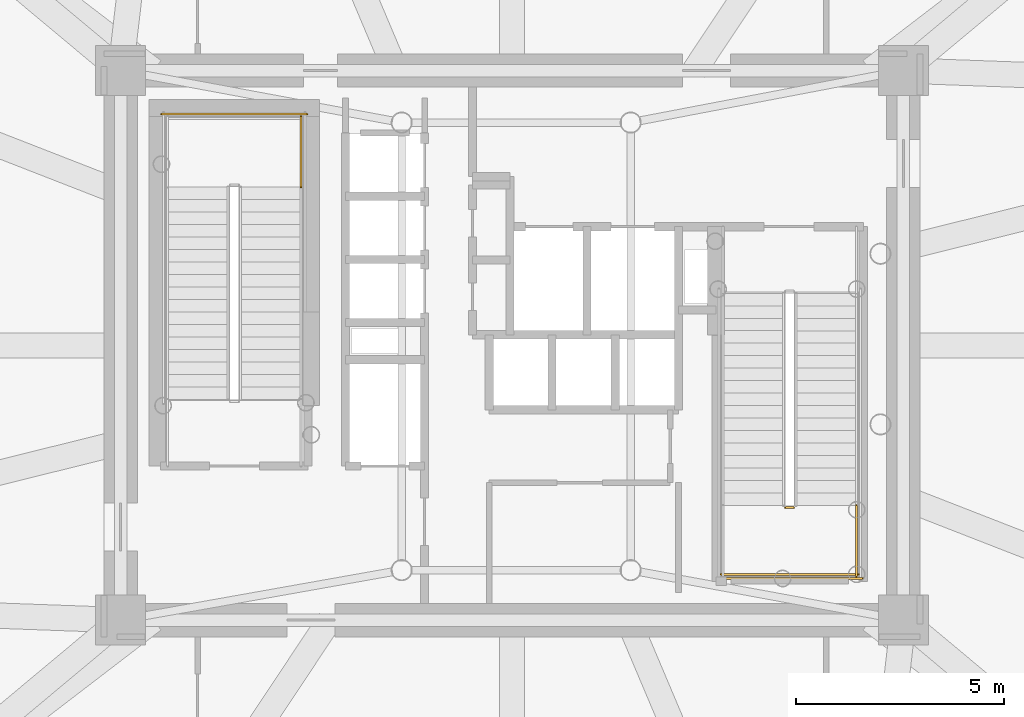
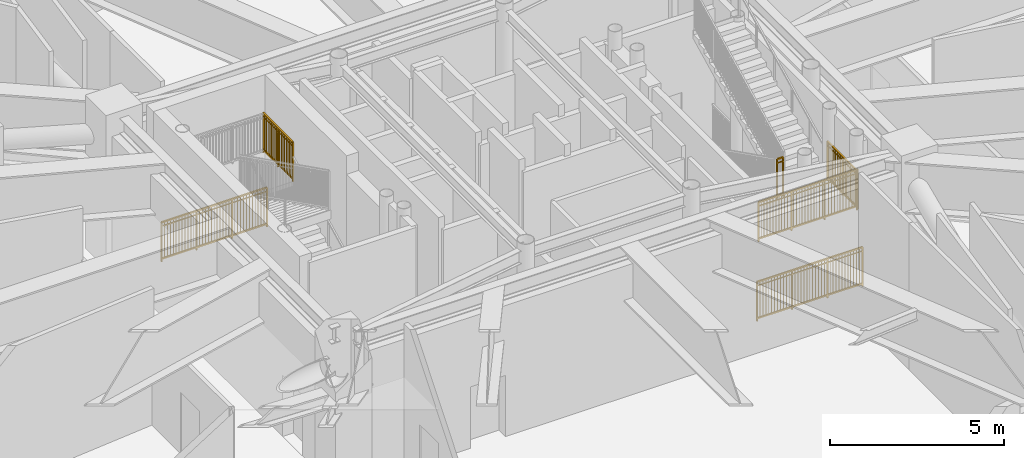
# One storey, part 18 of 20: 6 railings.
"""IFC4 building model written with IfcOpenShell, lengths in metres."""

import ifcopenshell
import ifcopenshell.guid

model = None  # the IFC model being written
_history = None  # IfcOwnerHistory: only IFC2X3 demands one
_inside = {}  # id of a spatial element -> (the spatial element, [elements in it])
_under = {}  # id of a project, library or spatial element -> (it, [spatial elements below it])
_declared = {}  # id of a project -> (the project, [libraries it declares])
_typed = {}  # id of a type object -> (the type object, [elements of that type])
_made_of = {}  # id of a material, layer set ... -> (it, [elements and type objects made of it])


def new_model(schema):
    """Start an empty IFC model of exactly this schema.

    Asked for "IFC4X3", IfcOpenShell would pick the latest addendum, in which some entities
    have other attributes; the version numbers below select the first issue.
    IFC2X3 requires an IfcOwnerHistory on every rooted entity: one is made here for all.
    """
    global model, _history
    if schema == "IFC4X3":
        model = ifcopenshell.file(schema_version=(4, 3, 0, 0))
    else:
        model = ifcopenshell.file(schema=schema)
    _inside.clear()
    _under.clear()
    _declared.clear()
    _typed.clear()
    _made_of.clear()
    _history = None
    if model.schema == "IFC2X3":
        org = make("IfcOrganization", Name="unknown")
        user = make(
            "IfcPersonAndOrganization",
            ThePerson=make("IfcPerson", FamilyName="unknown"),
            TheOrganization=org,
        )
        app = make(
            "IfcApplication",
            ApplicationDeveloper=org,
            Version="unknown",
            ApplicationFullName="unknown",
            ApplicationIdentifier="unknown",
        )
        _history = make(
            "IfcOwnerHistory",
            OwningUser=user,
            OwningApplication=app,
            ChangeAction="ADDED",
            CreationDate=0,
        )
    return model


def make(cls, **values):
    """One entity of the class cls with the attributes given. An attribute that is None is left unset."""
    return model.create_entity(
        cls, **{name: value for name, value in values.items() if value is not None}
    )


def rooted(cls, **values):
    """An entity with a GlobalId (a new one), such as an element, a storey or a relation."""
    return make(cls, GlobalId=ifcopenshell.guid.new(), OwnerHistory=_history, **values)


def si_unit(unit_type, name, prefix=None):
    """IfcSIUnit, for example si_unit("LENGTHUNIT", "METRE", prefix="MILLI")."""
    return make("IfcSIUnit", UnitType=unit_type, Prefix=prefix, Name=name)


def assignment(units):
    """IfcUnitAssignment: the units of a project."""
    return None if units is None else make("IfcUnitAssignment", Units=units)


def point(xyz):
    """IfcCartesianPoint."""
    return None if xyz is None else make("IfcCartesianPoint", Coordinates=xyz)


def direction(xyz):
    """IfcDirection."""
    return None if xyz is None else make("IfcDirection", DirectionRatios=xyz)


def frame(location, z_axis=None, x_axis=None):
    """IfcAxis2Placement3D, a coordinate frame: its origin and axes. An axis left out is left unset."""
    return make(
        "IfcAxis2Placement3D",
        Location=point(location),
        Axis=direction(z_axis),
        RefDirection=direction(x_axis),
    )


def frame_2d(location, x_axis=None):
    """IfcAxis2Placement2D, a coordinate frame in the plane: its origin and x axis."""
    return make(
        "IfcAxis2Placement2D", Location=point(location), RefDirection=direction(x_axis)
    )


def origin():
    """The frame at (0, 0, 0) with its axes left unset."""
    return frame((0.0, 0.0, 0.0))


def origin_2d():
    """The frame at (0, 0) in the plane with its x axis left unset."""
    return frame_2d((0.0, 0.0))


def place(relative_to, where):
    """IfcLocalPlacement: puts the frame where relative to a parent placement (None: the world)."""
    return make(
        "IfcLocalPlacement", PlacementRelTo=relative_to, RelativePlacement=where
    )


def context(
    kind, dimensions, precision=None, world=None, true_north=None, identifier=None
):
    """IfcGeometricRepresentationContext, for example the 3D "Model" context."""
    return make(
        "IfcGeometricRepresentationContext",
        ContextIdentifier=identifier,
        ContextType=kind,
        CoordinateSpaceDimension=dimensions,
        Precision=precision,
        WorldCoordinateSystem=world,
        TrueNorth=true_north,
    )


def subcontext(parent, identifier, kind, view, scale=None):
    """IfcGeometricRepresentationSubContext, for example "Body" below "Model"."""
    return make(
        "IfcGeometricRepresentationSubContext",
        ContextIdentifier=identifier,
        ContextType=kind,
        ParentContext=parent,
        TargetScale=scale,
        TargetView=view,
    )


def project(units=None, contexts=None):
    """IfcProject with its units and contexts."""
    return rooted(
        "IfcProject",
        Name="project",
        RepresentationContexts=contexts,
        UnitsInContext=assignment(units),
    )


def spatial(cls, under=None, at=None, **own):
    """A site, building, storey or space (cls), placed at a placement, below another one or the project."""
    s = rooted(cls, ObjectPlacement=at, **own)
    if under is not None:
        _under.setdefault(under.id(), (under, []))[1].append(s)
    return s


def profile(cls, at=None, kind="AREA", **sizes):
    """A parametric profile (cls). Its sizes go by their IFC names, for example OverallWidth=200.0."""
    return make(cls, ProfileType=kind, Position=at, **sizes)


def rectangle(**sizes):
    """IfcRectangleProfileDef."""
    return profile("IfcRectangleProfileDef", **sizes)


def extrude(swept, where, along, depth):
    """IfcExtrudedAreaSolid: the profile swept, set in the frame where, extruded along a direction by depth."""
    return make(
        "IfcExtrudedAreaSolid",
        SweptArea=swept,
        Position=where,
        ExtrudedDirection=direction(along),
        Depth=depth,
    )


def shape(context_of_items, identifier, shape_type, items):
    """IfcShapeRepresentation: the items that make up one representation, for example the "Body"."""
    return make(
        "IfcShapeRepresentation",
        ContextOfItems=context_of_items,
        RepresentationIdentifier=identifier,
        RepresentationType=shape_type,
        Items=items,
    )


def source(mapping_origin, context_of_items, identifier, shape_type, items):
    """IfcRepresentationMap: a shape defined once, which mapped items show again and again."""
    return make(
        "IfcRepresentationMap",
        MappingOrigin=mapping_origin,
        MappedRepresentation=shape(context_of_items, identifier, shape_type, items),
    )


def transform(
    local_origin,
    x_axis=None,
    y_axis=None,
    z_axis=None,
    scale=None,
    scale2=None,
    scale3=None,
    uniform=True,
):
    """IfcCartesianTransformationOperator3D, or its non-uniform kind. x_axis, y_axis, z_axis: its Axis1, 2, 3."""
    if uniform:
        return make(
            "IfcCartesianTransformationOperator3D",
            Axis1=direction(x_axis),
            Axis2=direction(y_axis),
            LocalOrigin=point(local_origin),
            Scale=scale,
            Axis3=direction(z_axis),
        )
    return make(
        "IfcCartesianTransformationOperator3DnonUniform",
        Axis1=direction(x_axis),
        Axis2=direction(y_axis),
        LocalOrigin=point(local_origin),
        Scale=scale,
        Axis3=direction(z_axis),
        Scale2=scale2,
        Scale3=scale3,
    )


def mapped(mapping_source, mapping_target):
    """IfcMappedItem: shows the shape of a source again, moved by a transform."""
    return make(
        "IfcMappedItem", MappingSource=mapping_source, MappingTarget=mapping_target
    )


def material(Name=None, Category=None):
    """IfcMaterial."""
    return make("IfcMaterial", Name=Name, Category=Category)


def made_of(thing, what):
    """Note that an element or type object is made of a material, layer set ...; save() writes the relation."""
    if what is not None:
        _made_of.setdefault(what.id(), (what, []))[1].append(thing)
    return thing


def type_object(cls, material=None, **own):
    """A type object (cls), such as IfcWallType, which elements share."""
    return made_of(rooted(cls, **own), material)


def element(
    cls,
    number,
    at=None,
    inside=None,
    cuts=None,
    type_object=None,
    material=None,
    context=None,
    identifier="Body",
    shape_type=None,
    held_by="IfcProductDefinitionShape",
    body=None,
    shapes=None,
    **own,
):
    """One element of the class cls, such as IfcWall. Its Tag is "e" and its number.

    at: its placement. inside: the storey or other place that contains it. cuts: it is an
    opening in that element (IfcRelVoidsElement). A single representation is given by context,
    identifier, shape_type and body (its items); several are given by shapes. held_by: the class
    of the entity that holds the representations. save() writes the other relations.
    """
    e = rooted(cls, Tag="e%d" % number, ObjectPlacement=at, **own)
    if body is not None:
        shapes = [shape(context, identifier, shape_type, body)]
    if shapes is not None:
        e.Representation = make(held_by, Representations=shapes)
    if inside is not None:
        _inside.setdefault(inside.id(), (inside, []))[1].append(e)
    if cuts is not None:
        rooted(
            "IfcRelVoidsElement", RelatingBuildingElement=cuts, RelatedOpeningElement=e
        )
    if type_object is not None:
        _typed.setdefault(type_object.id(), (type_object, []))[1].append(e)
    return made_of(e, material)


def aggregate(whole, parts):
    """IfcRelAggregates: a whole, such as a stair, and the parts it consists of."""
    return rooted("IfcRelAggregates", RelatingObject=whole, RelatedObjects=parts)


def save(model, path):
    """Write the relations noted so far, then the file.

    IfcRelAggregates (storeys below a building ...), IfcRelContainedInSpatialStructure (elements
    in a storey), IfcRelDefinesByType, IfcRelAssociatesMaterial and IfcRelDeclares: one each for
    every whole, place, type object, material and project.
    """
    for whole, parts in _under.values():
        aggregate(whole, parts)
    for where, things in _inside.values():
        rooted(
            "IfcRelContainedInSpatialStructure",
            RelatedElements=things,
            RelatingStructure=where,
        )
    for kind, things in _typed.values():
        rooted("IfcRelDefinesByType", RelatedObjects=things, RelatingType=kind)
    for what, things in _made_of.values():
        rooted("IfcRelAssociatesMaterial", RelatedObjects=things, RelatingMaterial=what)
    for by, libraries in _declared.values():
        rooted("IfcRelDeclares", RelatingContext=by, RelatedDefinitions=libraries)
    model.write(path)


model = new_model("IFC4")

# Units and contexts
model_context = context("Model", 3, precision=1e-05, world=origin(), true_north=direction((0.0, 1.0)))
body_context = subcontext(model_context, "Body", "Model", "MODEL_VIEW")
ifc_project = project(units=[si_unit("LENGTHUNIT", "METRE"), si_unit("AREAUNIT", "SQUARE_METRE"), si_unit("VOLUMEUNIT", "CUBIC_METRE"), si_unit("PLANEANGLEUNIT", "RADIAN"), si_unit("MASSUNIT", "GRAM", prefix="KILO")], contexts=[model_context])

# Site, building, storey
site_placement = place(None, origin())
site = spatial("IfcSite", under=ifc_project, at=site_placement, CompositionType="ELEMENT")
building_placement = place(site_placement, origin())
building = spatial("IfcBuilding", under=site, at=building_placement, Name="Linh Dai School and Residence Tower", CompositionType="ELEMENT")
storey_placement = place(building_placement, frame((0.0, 0.0, 204.89990234375)))
storey = spatial("IfcBuildingStorey", under=building, at=storey_placement, Name="L50", CompositionType="ELEMENT", Elevation=204.89990234375)

# Railings
ifc_material = material(Name="Structural Steel S355JR", Category="steel")
railing_type = type_object("IfcRailingType", Name="RL-ST-GUARD-1400", PredefinedType="GUARDRAIL", material=ifc_material)
shared_shape_1 = source(origin(), body_context, "Body", "SweptSolid", [
    extrude(rectangle(XDim=0.048095703125, YDim=0.048095703125, at=origin_2d()), frame((0.0, 0.0, 1.3759765625), z_axis=(-1.0, 0.0, 0.0), x_axis=(0.0, -1.0, 0.0)), (0.0, 0.0, 1.0), 3.5),
    extrude(rectangle(XDim=0.048095703125, YDim=0.048095703125, at=origin_2d()), frame((0.0, 0.0, 0.10009765625), z_axis=(-1.0, 0.0, 0.0), x_axis=(0.0, -1.0, 0.0)), (0.0, 0.0, 1.0), 3.5),
    extrude(rectangle(XDim=0.030029296875, YDim=0.030029296875, at=origin_2d()), frame((0.0, 0.0, 1.239990234375), z_axis=(-1.0, 0.0, 0.0), x_axis=(0.0, -1.0, 0.0)), (0.0, 0.0, 1.0), 3.5),
    extrude(rectangle(XDim=0.02001953125, YDim=0.02001953125, at=origin_2d()), frame((-0.09716796875, 0.0, 0.10009765625)), (0.0, 0.0, 1.0), 1.251708984375),
    extrude(rectangle(XDim=0.02001953125, YDim=0.02001953125, at=origin_2d()), frame((-0.1943359375, 0.0, 0.10009765625)), (0.0, 0.0, 1.0), 1.251708984375),
    extrude(rectangle(XDim=0.02001953125, YDim=0.02001953125, at=origin_2d()), frame((-0.291748046875, 0.0, 0.10009765625)), (0.0, 0.0, 1.0), 1.251708984375),
    extrude(rectangle(XDim=0.02001953125, YDim=0.02001953125, at=origin_2d()), frame((-0.388916015625, 0.0, 0.10009765625)), (0.0, 0.0, 1.0), 1.251708984375),
    extrude(rectangle(XDim=0.02001953125, YDim=0.02001953125, at=origin_2d()), frame((-0.486083984375, 0.0, 0.10009765625)), (0.0, 0.0, 1.0), 1.251708984375),
    extrude(rectangle(XDim=0.02001953125, YDim=0.02001953125, at=origin_2d()), frame((-0.583251953125, 0.0, 0.10009765625)), (0.0, 0.0, 1.0), 1.251708984375),
    extrude(rectangle(XDim=0.02001953125, YDim=0.02001953125, at=origin_2d()), frame((-0.6806640625, 0.0, 0.10009765625)), (0.0, 0.0, 1.0), 1.251708984375),
    extrude(rectangle(XDim=0.02001953125, YDim=0.02001953125, at=origin_2d()), frame((-0.77783203125, 0.0, 0.10009765625)), (0.0, 0.0, 1.0), 1.251708984375),
    extrude(rectangle(XDim=0.02001953125, YDim=0.02001953125, at=origin_2d()), frame((-0.875, 0.0, 0.10009765625)), (0.0, 0.0, 1.0), 1.251708984375),
    extrude(rectangle(XDim=0.02001953125, YDim=0.02001953125, at=origin_2d()), frame((-0.97216796875, 0.0, 0.10009765625)), (0.0, 0.0, 1.0), 1.251708984375),
    extrude(rectangle(XDim=0.02001953125, YDim=0.02001953125, at=origin_2d()), frame((-1.0693359375, 0.0, 0.10009765625)), (0.0, 0.0, 1.0), 1.251708984375),
    extrude(rectangle(XDim=0.02001953125, YDim=0.02001953125, at=origin_2d()), frame((-1.263916015625, 0.0, 0.10009765625)), (0.0, 0.0, 1.0), 1.251708984375),
    extrude(rectangle(XDim=0.02001953125, YDim=0.02001953125, at=origin_2d()), frame((-1.361083984375, 0.0, 0.10009765625)), (0.0, 0.0, 1.0), 1.251708984375),
    extrude(rectangle(XDim=0.02001953125, YDim=0.02001953125, at=origin_2d()), frame((-1.458251953125, 0.0, 0.10009765625)), (0.0, 0.0, 1.0), 1.251708984375),
    extrude(rectangle(XDim=0.02001953125, YDim=0.02001953125, at=origin_2d()), frame((-1.5556640625, 0.0, 0.10009765625)), (0.0, 0.0, 1.0), 1.251708984375),
    extrude(rectangle(XDim=0.02001953125, YDim=0.02001953125, at=origin_2d()), frame((-1.65283203125, 0.0, 0.10009765625)), (0.0, 0.0, 1.0), 1.251708984375),
    extrude(rectangle(XDim=0.02001953125, YDim=0.02001953125, at=origin_2d()), frame((-1.75, 0.0, 0.10009765625)), (0.0, 0.0, 1.0), 1.251708984375),
    extrude(rectangle(XDim=0.02001953125, YDim=0.02001953125, at=origin_2d()), frame((-1.84716796875, 0.0, 0.10009765625)), (0.0, 0.0, 1.0), 1.251708984375),
    extrude(rectangle(XDim=0.02001953125, YDim=0.02001953125, at=origin_2d()), frame((-1.9443359375, 0.0, 0.10009765625)), (0.0, 0.0, 1.0), 1.251708984375),
    extrude(rectangle(XDim=0.02001953125, YDim=0.02001953125, at=origin_2d()), frame((-2.041748046875, 0.0, 0.10009765625)), (0.0, 0.0, 1.0), 1.251708984375),
    extrude(rectangle(XDim=0.02001953125, YDim=0.02001953125, at=origin_2d()), frame((-2.138916015625, 0.0, 0.10009765625)), (0.0, 0.0, 1.0), 1.251708984375),
    extrude(rectangle(XDim=0.02001953125, YDim=0.02001953125, at=origin_2d()), frame((-2.236083984375, 0.0, 0.10009765625)), (0.0, 0.0, 1.0), 1.251708984375),
    extrude(rectangle(XDim=0.02001953125, YDim=0.02001953125, at=origin_2d()), frame((-2.4306640625, 0.0, 0.10009765625)), (0.0, 0.0, 1.0), 1.251708984375),
    extrude(rectangle(XDim=0.02001953125, YDim=0.02001953125, at=origin_2d()), frame((-2.52783203125, 0.0, 0.10009765625)), (0.0, 0.0, 1.0), 1.251708984375),
    extrude(rectangle(XDim=0.02001953125, YDim=0.02001953125, at=origin_2d()), frame((-2.625, 0.0, 0.10009765625)), (0.0, 0.0, 1.0), 1.251708984375),
    extrude(rectangle(XDim=0.02001953125, YDim=0.02001953125, at=origin_2d()), frame((-2.72216796875, 0.0, 0.10009765625)), (0.0, 0.0, 1.0), 1.251708984375),
    extrude(rectangle(XDim=0.02001953125, YDim=0.02001953125, at=origin_2d()), frame((-2.8193359375, 0.0, 0.10009765625)), (0.0, 0.0, 1.0), 1.251708984375),
    extrude(rectangle(XDim=0.02001953125, YDim=0.02001953125, at=origin_2d()), frame((-2.916748046875, 0.0, 0.10009765625)), (0.0, 0.0, 1.0), 1.251708984375),
    extrude(rectangle(XDim=0.02001953125, YDim=0.02001953125, at=origin_2d()), frame((-3.013916015625, 0.0, 0.10009765625)), (0.0, 0.0, 1.0), 1.251708984375),
    extrude(rectangle(XDim=0.02001953125, YDim=0.02001953125, at=origin_2d()), frame((-3.111083984375, 0.0, 0.10009765625)), (0.0, 0.0, 1.0), 1.251708984375),
    extrude(rectangle(XDim=0.02001953125, YDim=0.02001953125, at=origin_2d()), frame((-3.208251953125, 0.0, 0.10009765625)), (0.0, 0.0, 1.0), 1.251708984375),
    extrude(rectangle(XDim=0.02001953125, YDim=0.02001953125, at=origin_2d()), frame((-3.3056640625, 0.0, 0.10009765625)), (0.0, 0.0, 1.0), 1.251708984375),
    extrude(rectangle(XDim=0.02001953125, YDim=0.02001953125, at=origin_2d()), frame((-3.40283203125, 0.0, 0.10009765625)), (0.0, 0.0, 1.0), 1.251708984375),
    extrude(rectangle(XDim=0.0419921875, YDim=0.0419921875, at=origin_2d()), origin(), (0.0, 0.0, 1.0), 1.3759765625),
    extrude(rectangle(XDim=0.0419921875, YDim=0.0419921875, at=origin_2d()), frame((-1.166748046875, 0.0, 0.0)), (0.0, 0.0, 1.0), 1.3759765625),
    extrude(rectangle(XDim=0.0419921875, YDim=0.0419921875, at=origin_2d()), frame((-2.333251953125, 0.0, 0.0)), (0.0, 0.0, 1.0), 1.3759765625),
    extrude(rectangle(XDim=0.0419921875, YDim=0.0419921875, at=origin_2d()), frame((-3.5, 0.0, 0.0)), (0.0, 0.0, 1.0), 1.3759765625),
])
railing_1_placement = place(storey_placement, frame((31.080078125, 32.550048828125, 0.0)))
element("IfcRailing", 1, at=railing_1_placement, inside=storey, type_object=railing_type, Name="L50 ST1 stair guard 12", PredefinedType="GUARDRAIL", context=body_context, shape_type="MappedRepresentation", body=[
    mapped(shared_shape_1, transform((0.0, 0.0, 0.0), x_axis=(1.0, 0.0, 0.0), y_axis=(0.0, 1.0, 0.0), z_axis=(0.0, 0.0, 1.0), scale=1.0)),
])
shared_shape_2 = source(origin(), body_context, "Body", "SweptSolid", [
    extrude(rectangle(XDim=0.048095703125, YDim=0.048095703125, at=origin_2d()), frame((0.0, 0.0, 1.3759765625), z_axis=(0.0, 1.0, 0.0), x_axis=(-1.0, 0.0, 0.0)), (0.0, 0.0, 1.0), 1.699951171875),
    extrude(rectangle(XDim=0.048095703125, YDim=0.048095703125, at=origin_2d()), frame((0.0, 0.0, 0.10009765625), z_axis=(0.0, 1.0, 0.0), x_axis=(-1.0, 0.0, 0.0)), (0.0, 0.0, 1.0), 1.699951171875),
    extrude(rectangle(XDim=0.030029296875, YDim=0.030029296875, at=origin_2d()), frame((0.0, 0.0, 1.239990234375), z_axis=(0.0, 1.0, 0.0), x_axis=(-1.0, 0.0, 0.0)), (0.0, 0.0, 1.0), 1.699951171875),
    extrude(rectangle(XDim=0.02001953125, YDim=0.02001953125, at=origin_2d()), frame((0.0, 0.094482421875, 0.10009765625)), (0.0, 0.0, 1.0), 1.251708984375),
    extrude(rectangle(XDim=0.02001953125, YDim=0.02001953125, at=origin_2d()), frame((0.0, 0.18896484375, 0.10009765625)), (0.0, 0.0, 1.0), 1.251708984375),
    extrude(rectangle(XDim=0.02001953125, YDim=0.02001953125, at=origin_2d()), frame((0.0, 0.283203125, 0.10009765625)), (0.0, 0.0, 1.0), 1.251708984375),
    extrude(rectangle(XDim=0.02001953125, YDim=0.02001953125, at=origin_2d()), frame((0.0, 0.377685546875, 0.10009765625)), (0.0, 0.0, 1.0), 1.251708984375),
    extrude(rectangle(XDim=0.02001953125, YDim=0.02001953125, at=origin_2d()), frame((0.0, 0.47216796875, 0.10009765625)), (0.0, 0.0, 1.0), 1.251708984375),
    extrude(rectangle(XDim=0.02001953125, YDim=0.02001953125, at=origin_2d()), frame((0.0, 0.566650390625, 0.10009765625)), (0.0, 0.0, 1.0), 1.251708984375),
    extrude(rectangle(XDim=0.02001953125, YDim=0.02001953125, at=origin_2d()), frame((0.0, 0.6611328125, 0.10009765625)), (0.0, 0.0, 1.0), 1.251708984375),
    extrude(rectangle(XDim=0.02001953125, YDim=0.02001953125, at=origin_2d()), frame((0.0, 0.755615234375, 0.10009765625)), (0.0, 0.0, 1.0), 1.251708984375),
    extrude(rectangle(XDim=0.02001953125, YDim=0.02001953125, at=origin_2d()), frame((0.0, 0.9443359375, 0.10009765625)), (0.0, 0.0, 1.0), 1.251708984375),
    extrude(rectangle(XDim=0.02001953125, YDim=0.02001953125, at=origin_2d()), frame((0.0, 1.038818359375, 0.10009765625)), (0.0, 0.0, 1.0), 1.251708984375),
    extrude(rectangle(XDim=0.02001953125, YDim=0.02001953125, at=origin_2d()), frame((0.0, 1.13330078125, 0.10009765625)), (0.0, 0.0, 1.0), 1.251708984375),
    extrude(rectangle(XDim=0.02001953125, YDim=0.02001953125, at=origin_2d()), frame((0.0, 1.227783203125, 0.10009765625)), (0.0, 0.0, 1.0), 1.251708984375),
    extrude(rectangle(XDim=0.02001953125, YDim=0.02001953125, at=origin_2d()), frame((0.0, 1.322265625, 0.10009765625)), (0.0, 0.0, 1.0), 1.251708984375),
    extrude(rectangle(XDim=0.02001953125, YDim=0.02001953125, at=origin_2d()), frame((0.0, 1.41650390625, 0.10009765625)), (0.0, 0.0, 1.0), 1.251708984375),
    extrude(rectangle(XDim=0.02001953125, YDim=0.02001953125, at=origin_2d()), frame((0.0, 1.510986328125, 0.10009765625)), (0.0, 0.0, 1.0), 1.251708984375),
    extrude(rectangle(XDim=0.02001953125, YDim=0.02001953125, at=origin_2d()), frame((0.0, 1.60546875, 0.10009765625)), (0.0, 0.0, 1.0), 1.251708984375),
    extrude(rectangle(XDim=0.0419921875, YDim=0.0419921875, at=origin_2d()), origin(), (0.0, 0.0, 1.0), 1.3759765625),
    extrude(rectangle(XDim=0.0419921875, YDim=0.0419921875, at=origin_2d()), frame((0.0, 0.85009765625, 0.0)), (0.0, 0.0, 1.0), 1.3759765625),
    extrude(rectangle(XDim=0.0419921875, YDim=0.0419921875, at=origin_2d()), frame((0.0, 1.699951171875, 0.0)), (0.0, 0.0, 1.0), 1.3759765625),
])
railing_2_placement = place(storey_placement, frame((30.929931640625, 30.800048828125, 2.7001953125)))
element("IfcRailing", 2, at=railing_2_placement, inside=storey, type_object=railing_type, Name="L50 ST1 stair guard 3", PredefinedType="GUARDRAIL", context=body_context, shape_type="MappedRepresentation", body=[
    mapped(shared_shape_2, transform((0.0, 0.0, 0.0), x_axis=(1.0, 0.0, 0.0), y_axis=(0.0, 1.0, 0.0), z_axis=(0.0, 0.0, 1.0), scale=1.0)),
])
shared_shape_3 = source(origin(), body_context, "Body", "SweptSolid", [
    extrude(rectangle(XDim=0.048095703125, YDim=0.048095703125, at=origin_2d()), frame((0.0, 0.0, 1.3759765625), z_axis=(1.0, 0.0, 0.0), x_axis=(0.0, 1.0, 0.0)), (0.0, 0.0, 1.0), 0.199951171875),
    extrude(rectangle(XDim=0.048095703125, YDim=0.048095703125, at=origin_2d()), frame((0.0, 0.0, 0.10009765625), z_axis=(1.0, 0.0, 0.0), x_axis=(0.0, 1.0, 0.0)), (0.0, 0.0, 1.0), 0.199951171875),
    extrude(rectangle(XDim=0.030029296875, YDim=0.030029296875, at=origin_2d()), frame((0.0, 0.0, 1.239990234375), z_axis=(1.0, 0.0, 0.0), x_axis=(0.0, 1.0, 0.0)), (0.0, 0.0, 1.0), 0.199951171875),
    extrude(rectangle(XDim=0.0419921875, YDim=0.0419921875, at=origin_2d()), origin(), (0.0, 0.0, 1.0), 1.3759765625),
    extrude(rectangle(XDim=0.0419921875, YDim=0.0419921875, at=origin_2d()), frame((0.199951171875, 0.0, 0.0)), (0.0, 0.0, 1.0), 1.3759765625),
])
railing_3_placement = place(storey_placement, frame((42.570068359375, 23.10009765625, 2.7001953125)))
element("IfcRailing", 3, at=railing_3_placement, inside=storey, type_object=railing_type, Name="L50 ST2 stair guard 2", PredefinedType="GUARDRAIL", context=body_context, shape_type="MappedRepresentation", body=[
    mapped(shared_shape_3, transform((0.0, 0.0, 0.0), x_axis=(1.0, 0.0, 0.0), y_axis=(0.0, 1.0, 0.0), z_axis=(0.0, 0.0, 1.0), scale=1.0)),
])
shared_shape_4 = source(origin(), body_context, "Body", "SweptSolid", [
    extrude(rectangle(XDim=0.048095703125, YDim=0.048095703125, at=origin_2d()), frame((0.0, 0.0, 1.3759765625), z_axis=(1.0, 0.0, 0.0), x_axis=(0.0, 1.0, 0.0)), (0.0, 0.0, 1.0), 3.300048828125),
    extrude(rectangle(XDim=0.048095703125, YDim=0.048095703125, at=origin_2d()), frame((0.0, 0.0, 0.10009765625), z_axis=(1.0, 0.0, 0.0), x_axis=(0.0, 1.0, 0.0)), (0.0, 0.0, 1.0), 3.300048828125),
    extrude(rectangle(XDim=0.030029296875, YDim=0.030029296875, at=origin_2d()), frame((0.0, 0.0, 1.239990234375), z_axis=(1.0, 0.0, 0.0), x_axis=(0.0, 1.0, 0.0)), (0.0, 0.0, 1.0), 3.300048828125),
    extrude(rectangle(XDim=0.02001953125, YDim=0.02001953125, at=origin_2d()), frame((0.09716796875, 0.0, 0.10009765625)), (0.0, 0.0, 1.0), 1.251708984375),
    extrude(rectangle(XDim=0.02001953125, YDim=0.02001953125, at=origin_2d()), frame((0.194091796875, 0.0, 0.10009765625)), (0.0, 0.0, 1.0), 1.251708984375),
    extrude(rectangle(XDim=0.02001953125, YDim=0.02001953125, at=origin_2d()), frame((0.291259765625, 0.0, 0.10009765625)), (0.0, 0.0, 1.0), 1.251708984375),
    extrude(rectangle(XDim=0.02001953125, YDim=0.02001953125, at=origin_2d()), frame((0.38818359375, 0.0, 0.10009765625)), (0.0, 0.0, 1.0), 1.251708984375),
    extrude(rectangle(XDim=0.02001953125, YDim=0.02001953125, at=origin_2d()), frame((0.4853515625, 0.0, 0.10009765625)), (0.0, 0.0, 1.0), 1.251708984375),
    extrude(rectangle(XDim=0.02001953125, YDim=0.02001953125, at=origin_2d()), frame((0.582275390625, 0.0, 0.10009765625)), (0.0, 0.0, 1.0), 1.251708984375),
    extrude(rectangle(XDim=0.02001953125, YDim=0.02001953125, at=origin_2d()), frame((0.679443359375, 0.0, 0.10009765625)), (0.0, 0.0, 1.0), 1.251708984375),
    extrude(rectangle(XDim=0.02001953125, YDim=0.02001953125, at=origin_2d()), frame((0.7763671875, 0.0, 0.10009765625)), (0.0, 0.0, 1.0), 1.251708984375),
    extrude(rectangle(XDim=0.02001953125, YDim=0.02001953125, at=origin_2d()), frame((0.87353515625, 0.0, 0.10009765625)), (0.0, 0.0, 1.0), 1.251708984375),
    extrude(rectangle(XDim=0.02001953125, YDim=0.02001953125, at=origin_2d()), frame((0.970703125, 0.0, 0.10009765625)), (0.0, 0.0, 1.0), 1.251708984375),
    extrude(rectangle(XDim=0.02001953125, YDim=0.02001953125, at=origin_2d()), frame((1.164794921875, 0.0, 0.10009765625)), (0.0, 0.0, 1.0), 1.251708984375),
    extrude(rectangle(XDim=0.02001953125, YDim=0.02001953125, at=origin_2d()), frame((1.26171875, 0.0, 0.10009765625)), (0.0, 0.0, 1.0), 1.251708984375),
    extrude(rectangle(XDim=0.02001953125, YDim=0.02001953125, at=origin_2d()), frame((1.35888671875, 0.0, 0.10009765625)), (0.0, 0.0, 1.0), 1.251708984375),
    extrude(rectangle(XDim=0.02001953125, YDim=0.02001953125, at=origin_2d()), frame((1.455810546875, 0.0, 0.10009765625)), (0.0, 0.0, 1.0), 1.251708984375),
    extrude(rectangle(XDim=0.02001953125, YDim=0.02001953125, at=origin_2d()), frame((1.552978515625, 0.0, 0.10009765625)), (0.0, 0.0, 1.0), 1.251708984375),
    extrude(rectangle(XDim=0.02001953125, YDim=0.02001953125, at=origin_2d()), frame((1.64990234375, 0.0, 0.10009765625)), (0.0, 0.0, 1.0), 1.251708984375),
    extrude(rectangle(XDim=0.02001953125, YDim=0.02001953125, at=origin_2d()), frame((1.7470703125, 0.0, 0.10009765625)), (0.0, 0.0, 1.0), 1.251708984375),
    extrude(rectangle(XDim=0.02001953125, YDim=0.02001953125, at=origin_2d()), frame((1.84423828125, 0.0, 0.10009765625)), (0.0, 0.0, 1.0), 1.251708984375),
    extrude(rectangle(XDim=0.02001953125, YDim=0.02001953125, at=origin_2d()), frame((1.941162109375, 0.0, 0.10009765625)), (0.0, 0.0, 1.0), 1.251708984375),
    extrude(rectangle(XDim=0.02001953125, YDim=0.02001953125, at=origin_2d()), frame((2.038330078125, 0.0, 0.10009765625)), (0.0, 0.0, 1.0), 1.251708984375),
    extrude(rectangle(XDim=0.02001953125, YDim=0.02001953125, at=origin_2d()), frame((2.13525390625, 0.0, 0.10009765625)), (0.0, 0.0, 1.0), 1.251708984375),
    extrude(rectangle(XDim=0.02001953125, YDim=0.02001953125, at=origin_2d()), frame((2.329345703125, 0.0, 0.10009765625)), (0.0, 0.0, 1.0), 1.251708984375),
    extrude(rectangle(XDim=0.02001953125, YDim=0.02001953125, at=origin_2d()), frame((2.426513671875, 0.0, 0.10009765625)), (0.0, 0.0, 1.0), 1.251708984375),
    extrude(rectangle(XDim=0.02001953125, YDim=0.02001953125, at=origin_2d()), frame((2.523681640625, 0.0, 0.10009765625)), (0.0, 0.0, 1.0), 1.251708984375),
    extrude(rectangle(XDim=0.02001953125, YDim=0.02001953125, at=origin_2d()), frame((2.62060546875, 0.0, 0.10009765625)), (0.0, 0.0, 1.0), 1.251708984375),
    extrude(rectangle(XDim=0.02001953125, YDim=0.02001953125, at=origin_2d()), frame((2.7177734375, 0.0, 0.10009765625)), (0.0, 0.0, 1.0), 1.251708984375),
    extrude(rectangle(XDim=0.02001953125, YDim=0.02001953125, at=origin_2d()), frame((2.814697265625, 0.0, 0.10009765625)), (0.0, 0.0, 1.0), 1.251708984375),
    extrude(rectangle(XDim=0.02001953125, YDim=0.02001953125, at=origin_2d()), frame((2.911865234375, 0.0, 0.10009765625)), (0.0, 0.0, 1.0), 1.251708984375),
    extrude(rectangle(XDim=0.02001953125, YDim=0.02001953125, at=origin_2d()), frame((3.0087890625, 0.0, 0.10009765625)), (0.0, 0.0, 1.0), 1.251708984375),
    extrude(rectangle(XDim=0.02001953125, YDim=0.02001953125, at=origin_2d()), frame((3.10595703125, 0.0, 0.10009765625)), (0.0, 0.0, 1.0), 1.251708984375),
    extrude(rectangle(XDim=0.02001953125, YDim=0.02001953125, at=origin_2d()), frame((3.202880859375, 0.0, 0.10009765625)), (0.0, 0.0, 1.0), 1.251708984375),
    extrude(rectangle(XDim=0.0419921875, YDim=0.0419921875, at=origin_2d()), origin(), (0.0, 0.0, 1.0), 1.3759765625),
    extrude(rectangle(XDim=0.0419921875, YDim=0.0419921875, at=origin_2d()), frame((1.10009765625, 0.0, 0.0)), (0.0, 0.0, 1.0), 1.3759765625),
    extrude(rectangle(XDim=0.0419921875, YDim=0.0419921875, at=origin_2d()), frame((2.199951171875, 0.0, 0.0)), (0.0, 0.0, 1.0), 1.3759765625),
    extrude(rectangle(XDim=0.0419921875, YDim=0.0419921875, at=origin_2d()), frame((3.300048828125, 0.0, 0.0)), (0.0, 0.0, 1.0), 1.3759765625),
])
railing_4_placement = place(storey_placement, frame((41.02001953125, 21.5, 2.7001953125)))
element("IfcRailing", 4, at=railing_4_placement, inside=storey, type_object=railing_type, Name="L50 ST2 stair guard 5", PredefinedType="GUARDRAIL", context=body_context, shape_type="MappedRepresentation", body=[
    mapped(shared_shape_4, transform((0.0, 0.0, 0.0), x_axis=(1.0, 0.0, 0.0), y_axis=(0.0, 1.0, 0.0), z_axis=(0.0, 0.0, 1.0), scale=1.0)),
])
shared_shape_5 = source(origin(), body_context, "Body", "SweptSolid", [
    extrude(rectangle(XDim=0.048095703125, YDim=0.048095703125, at=origin_2d()), frame((0.0, 0.0, 1.3759765625), z_axis=(1.0, 0.0, 0.0), x_axis=(0.0, 1.0, 0.0)), (0.0, 0.0, 1.0), 3.5),
    extrude(rectangle(XDim=0.048095703125, YDim=0.048095703125, at=origin_2d()), frame((0.0, 0.0, 0.10009765625), z_axis=(1.0, 0.0, 0.0), x_axis=(0.0, 1.0, 0.0)), (0.0, 0.0, 1.0), 3.5),
    extrude(rectangle(XDim=0.030029296875, YDim=0.030029296875, at=origin_2d()), frame((0.0, 0.0, 1.239990234375), z_axis=(1.0, 0.0, 0.0), x_axis=(0.0, 1.0, 0.0)), (0.0, 0.0, 1.0), 3.5),
    extrude(rectangle(XDim=0.02001953125, YDim=0.02001953125, at=origin_2d()), frame((0.09716796875, 0.0, 0.10009765625)), (0.0, 0.0, 1.0), 1.251708984375),
    extrude(rectangle(XDim=0.02001953125, YDim=0.02001953125, at=origin_2d()), frame((0.1943359375, 0.0, 0.10009765625)), (0.0, 0.0, 1.0), 1.251708984375),
    extrude(rectangle(XDim=0.02001953125, YDim=0.02001953125, at=origin_2d()), frame((0.291748046875, 0.0, 0.10009765625)), (0.0, 0.0, 1.0), 1.251708984375),
    extrude(rectangle(XDim=0.02001953125, YDim=0.02001953125, at=origin_2d()), frame((0.388916015625, 0.0, 0.10009765625)), (0.0, 0.0, 1.0), 1.251708984375),
    extrude(rectangle(XDim=0.02001953125, YDim=0.02001953125, at=origin_2d()), frame((0.486083984375, 0.0, 0.10009765625)), (0.0, 0.0, 1.0), 1.251708984375),
    extrude(rectangle(XDim=0.02001953125, YDim=0.02001953125, at=origin_2d()), frame((0.583251953125, 0.0, 0.10009765625)), (0.0, 0.0, 1.0), 1.251708984375),
    extrude(rectangle(XDim=0.02001953125, YDim=0.02001953125, at=origin_2d()), frame((0.6806640625, 0.0, 0.10009765625)), (0.0, 0.0, 1.0), 1.251708984375),
    extrude(rectangle(XDim=0.02001953125, YDim=0.02001953125, at=origin_2d()), frame((0.77783203125, 0.0, 0.10009765625)), (0.0, 0.0, 1.0), 1.251708984375),
    extrude(rectangle(XDim=0.02001953125, YDim=0.02001953125, at=origin_2d()), frame((0.875, 0.0, 0.10009765625)), (0.0, 0.0, 1.0), 1.251708984375),
    extrude(rectangle(XDim=0.02001953125, YDim=0.02001953125, at=origin_2d()), frame((0.97216796875, 0.0, 0.10009765625)), (0.0, 0.0, 1.0), 1.251708984375),
    extrude(rectangle(XDim=0.02001953125, YDim=0.02001953125, at=origin_2d()), frame((1.0693359375, 0.0, 0.10009765625)), (0.0, 0.0, 1.0), 1.251708984375),
    extrude(rectangle(XDim=0.02001953125, YDim=0.02001953125, at=origin_2d()), frame((1.263916015625, 0.0, 0.10009765625)), (0.0, 0.0, 1.0), 1.251708984375),
    extrude(rectangle(XDim=0.02001953125, YDim=0.02001953125, at=origin_2d()), frame((1.361083984375, 0.0, 0.10009765625)), (0.0, 0.0, 1.0), 1.251708984375),
    extrude(rectangle(XDim=0.02001953125, YDim=0.02001953125, at=origin_2d()), frame((1.458251953125, 0.0, 0.10009765625)), (0.0, 0.0, 1.0), 1.251708984375),
    extrude(rectangle(XDim=0.02001953125, YDim=0.02001953125, at=origin_2d()), frame((1.5556640625, 0.0, 0.10009765625)), (0.0, 0.0, 1.0), 1.251708984375),
    extrude(rectangle(XDim=0.02001953125, YDim=0.02001953125, at=origin_2d()), frame((1.65283203125, 0.0, 0.10009765625)), (0.0, 0.0, 1.0), 1.251708984375),
    extrude(rectangle(XDim=0.02001953125, YDim=0.02001953125, at=origin_2d()), frame((1.75, 0.0, 0.10009765625)), (0.0, 0.0, 1.0), 1.251708984375),
    extrude(rectangle(XDim=0.02001953125, YDim=0.02001953125, at=origin_2d()), frame((1.84716796875, 0.0, 0.10009765625)), (0.0, 0.0, 1.0), 1.251708984375),
    extrude(rectangle(XDim=0.02001953125, YDim=0.02001953125, at=origin_2d()), frame((1.9443359375, 0.0, 0.10009765625)), (0.0, 0.0, 1.0), 1.251708984375),
    extrude(rectangle(XDim=0.02001953125, YDim=0.02001953125, at=origin_2d()), frame((2.041748046875, 0.0, 0.10009765625)), (0.0, 0.0, 1.0), 1.251708984375),
    extrude(rectangle(XDim=0.02001953125, YDim=0.02001953125, at=origin_2d()), frame((2.138916015625, 0.0, 0.10009765625)), (0.0, 0.0, 1.0), 1.251708984375),
    extrude(rectangle(XDim=0.02001953125, YDim=0.02001953125, at=origin_2d()), frame((2.236083984375, 0.0, 0.10009765625)), (0.0, 0.0, 1.0), 1.251708984375),
    extrude(rectangle(XDim=0.02001953125, YDim=0.02001953125, at=origin_2d()), frame((2.4306640625, 0.0, 0.10009765625)), (0.0, 0.0, 1.0), 1.251708984375),
    extrude(rectangle(XDim=0.02001953125, YDim=0.02001953125, at=origin_2d()), frame((2.52783203125, 0.0, 0.10009765625)), (0.0, 0.0, 1.0), 1.251708984375),
    extrude(rectangle(XDim=0.02001953125, YDim=0.02001953125, at=origin_2d()), frame((2.625, 0.0, 0.10009765625)), (0.0, 0.0, 1.0), 1.251708984375),
    extrude(rectangle(XDim=0.02001953125, YDim=0.02001953125, at=origin_2d()), frame((2.72216796875, 0.0, 0.10009765625)), (0.0, 0.0, 1.0), 1.251708984375),
    extrude(rectangle(XDim=0.02001953125, YDim=0.02001953125, at=origin_2d()), frame((2.8193359375, 0.0, 0.10009765625)), (0.0, 0.0, 1.0), 1.251708984375),
    extrude(rectangle(XDim=0.02001953125, YDim=0.02001953125, at=origin_2d()), frame((2.916748046875, 0.0, 0.10009765625)), (0.0, 0.0, 1.0), 1.251708984375),
    extrude(rectangle(XDim=0.02001953125, YDim=0.02001953125, at=origin_2d()), frame((3.013916015625, 0.0, 0.10009765625)), (0.0, 0.0, 1.0), 1.251708984375),
    extrude(rectangle(XDim=0.02001953125, YDim=0.02001953125, at=origin_2d()), frame((3.111083984375, 0.0, 0.10009765625)), (0.0, 0.0, 1.0), 1.251708984375),
    extrude(rectangle(XDim=0.02001953125, YDim=0.02001953125, at=origin_2d()), frame((3.208251953125, 0.0, 0.10009765625)), (0.0, 0.0, 1.0), 1.251708984375),
    extrude(rectangle(XDim=0.02001953125, YDim=0.02001953125, at=origin_2d()), frame((3.3056640625, 0.0, 0.10009765625)), (0.0, 0.0, 1.0), 1.251708984375),
    extrude(rectangle(XDim=0.02001953125, YDim=0.02001953125, at=origin_2d()), frame((3.40283203125, 0.0, 0.10009765625)), (0.0, 0.0, 1.0), 1.251708984375),
    extrude(rectangle(XDim=0.0419921875, YDim=0.0419921875, at=origin_2d()), origin(), (0.0, 0.0, 1.0), 1.3759765625),
    extrude(rectangle(XDim=0.0419921875, YDim=0.0419921875, at=origin_2d()), frame((1.166748046875, 0.0, 0.0)), (0.0, 0.0, 1.0), 1.3759765625),
    extrude(rectangle(XDim=0.0419921875, YDim=0.0419921875, at=origin_2d()), frame((2.333251953125, 0.0, 0.0)), (0.0, 0.0, 1.0), 1.3759765625),
    extrude(rectangle(XDim=0.0419921875, YDim=0.0419921875, at=origin_2d()), frame((3.5, 0.0, 0.0)), (0.0, 0.0, 1.0), 1.3759765625),
])
railing_5_placement = place(storey_placement, frame((40.919921875, 21.39990234375, 0.0)))
element("IfcRailing", 5, at=railing_5_placement, inside=storey, type_object=railing_type, Name="L50 ST2 stair guard 12", PredefinedType="GUARDRAIL", context=body_context, shape_type="MappedRepresentation", body=[
    mapped(shared_shape_5, transform((0.0, 0.0, 0.0), x_axis=(1.0, 0.0, 0.0), y_axis=(0.0, 1.0, 0.0), z_axis=(0.0, 0.0, 1.0), scale=1.0)),
])
shared_shape_6 = source(origin(), body_context, "Body", "SweptSolid", [
    extrude(rectangle(XDim=0.048095703125, YDim=0.048095703125, at=origin_2d()), frame((0.0, 0.0, 1.3759765625), z_axis=(0.0, -1.0, 0.0), x_axis=(1.0, 0.0, 0.0)), (0.0, 0.0, 1.0), 1.699951171875),
    extrude(rectangle(XDim=0.048095703125, YDim=0.048095703125, at=origin_2d()), frame((0.0, 0.0, 0.10009765625), z_axis=(0.0, -1.0, 0.0), x_axis=(1.0, 0.0, 0.0)), (0.0, 0.0, 1.0), 1.699951171875),
    extrude(rectangle(XDim=0.030029296875, YDim=0.030029296875, at=origin_2d()), frame((0.0, 0.0, 1.239990234375), z_axis=(0.0, -1.0, 0.0), x_axis=(1.0, 0.0, 0.0)), (0.0, 0.0, 1.0), 1.699951171875),
    extrude(rectangle(XDim=0.02001953125, YDim=0.02001953125, at=origin_2d()), frame((0.0, -0.094482421875, 0.10009765625)), (0.0, 0.0, 1.0), 1.251708984375),
    extrude(rectangle(XDim=0.02001953125, YDim=0.02001953125, at=origin_2d()), frame((0.0, -0.18896484375, 0.10009765625)), (0.0, 0.0, 1.0), 1.251708984375),
    extrude(rectangle(XDim=0.02001953125, YDim=0.02001953125, at=origin_2d()), frame((0.0, -0.283203125, 0.10009765625)), (0.0, 0.0, 1.0), 1.251708984375),
    extrude(rectangle(XDim=0.02001953125, YDim=0.02001953125, at=origin_2d()), frame((0.0, -0.377685546875, 0.10009765625)), (0.0, 0.0, 1.0), 1.251708984375),
    extrude(rectangle(XDim=0.02001953125, YDim=0.02001953125, at=origin_2d()), frame((0.0, -0.47216796875, 0.10009765625)), (0.0, 0.0, 1.0), 1.251708984375),
    extrude(rectangle(XDim=0.02001953125, YDim=0.02001953125, at=origin_2d()), frame((0.0, -0.566650390625, 0.10009765625)), (0.0, 0.0, 1.0), 1.251708984375),
    extrude(rectangle(XDim=0.02001953125, YDim=0.02001953125, at=origin_2d()), frame((0.0, -0.6611328125, 0.10009765625)), (0.0, 0.0, 1.0), 1.251708984375),
    extrude(rectangle(XDim=0.02001953125, YDim=0.02001953125, at=origin_2d()), frame((0.0, -0.755615234375, 0.10009765625)), (0.0, 0.0, 1.0), 1.251708984375),
    extrude(rectangle(XDim=0.02001953125, YDim=0.02001953125, at=origin_2d()), frame((0.0, -0.9443359375, 0.10009765625)), (0.0, 0.0, 1.0), 1.251708984375),
    extrude(rectangle(XDim=0.02001953125, YDim=0.02001953125, at=origin_2d()), frame((0.0, -1.038818359375, 0.10009765625)), (0.0, 0.0, 1.0), 1.251708984375),
    extrude(rectangle(XDim=0.02001953125, YDim=0.02001953125, at=origin_2d()), frame((0.0, -1.13330078125, 0.10009765625)), (0.0, 0.0, 1.0), 1.251708984375),
    extrude(rectangle(XDim=0.02001953125, YDim=0.02001953125, at=origin_2d()), frame((0.0, -1.227783203125, 0.10009765625)), (0.0, 0.0, 1.0), 1.251708984375),
    extrude(rectangle(XDim=0.02001953125, YDim=0.02001953125, at=origin_2d()), frame((0.0, -1.322265625, 0.10009765625)), (0.0, 0.0, 1.0), 1.251708984375),
    extrude(rectangle(XDim=0.02001953125, YDim=0.02001953125, at=origin_2d()), frame((0.0, -1.41650390625, 0.10009765625)), (0.0, 0.0, 1.0), 1.251708984375),
    extrude(rectangle(XDim=0.02001953125, YDim=0.02001953125, at=origin_2d()), frame((0.0, -1.510986328125, 0.10009765625)), (0.0, 0.0, 1.0), 1.251708984375),
    extrude(rectangle(XDim=0.02001953125, YDim=0.02001953125, at=origin_2d()), frame((0.0, -1.60546875, 0.10009765625)), (0.0, 0.0, 1.0), 1.251708984375),
    extrude(rectangle(XDim=0.0419921875, YDim=0.0419921875, at=origin_2d()), origin(), (0.0, 0.0, 1.0), 1.3759765625),
    extrude(rectangle(XDim=0.0419921875, YDim=0.0419921875, at=origin_2d()), frame((0.0, -0.85009765625, 0.0)), (0.0, 0.0, 1.0), 1.3759765625),
    extrude(rectangle(XDim=0.0419921875, YDim=0.0419921875, at=origin_2d()), frame((0.0, -1.699951171875, 0.0)), (0.0, 0.0, 1.0), 1.3759765625),
])
railing_6_placement = place(storey_placement, frame((44.27001953125, 23.14990234375, 2.7001953125)))
element("IfcRailing", 6, at=railing_6_placement, inside=storey, type_object=railing_type, Name="L50 ST2 stair guard 4", PredefinedType="GUARDRAIL", context=body_context, shape_type="MappedRepresentation", body=[
    mapped(shared_shape_6, transform((0.0, 0.0, 0.0), x_axis=(1.0, 0.0, 0.0), y_axis=(0.0, 1.0, 0.0), z_axis=(0.0, 0.0, 1.0), scale=1.0)),
])

save(model, "model.ifc")
